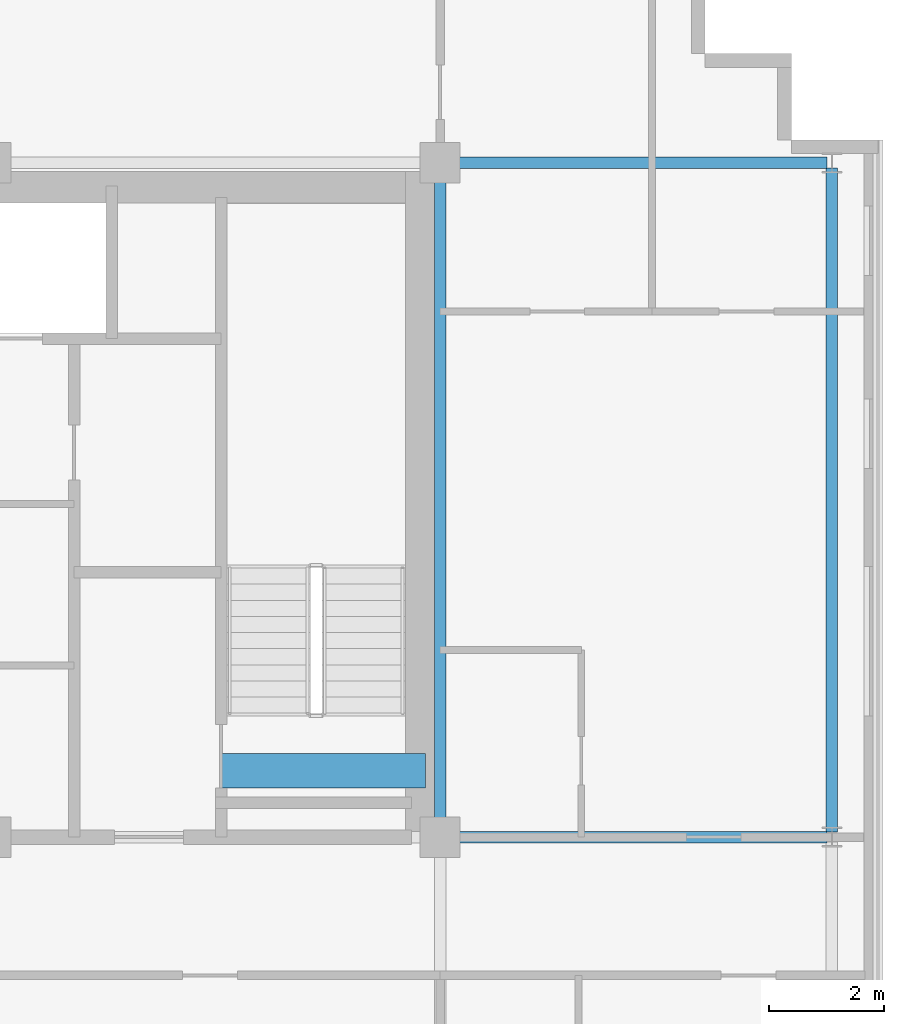
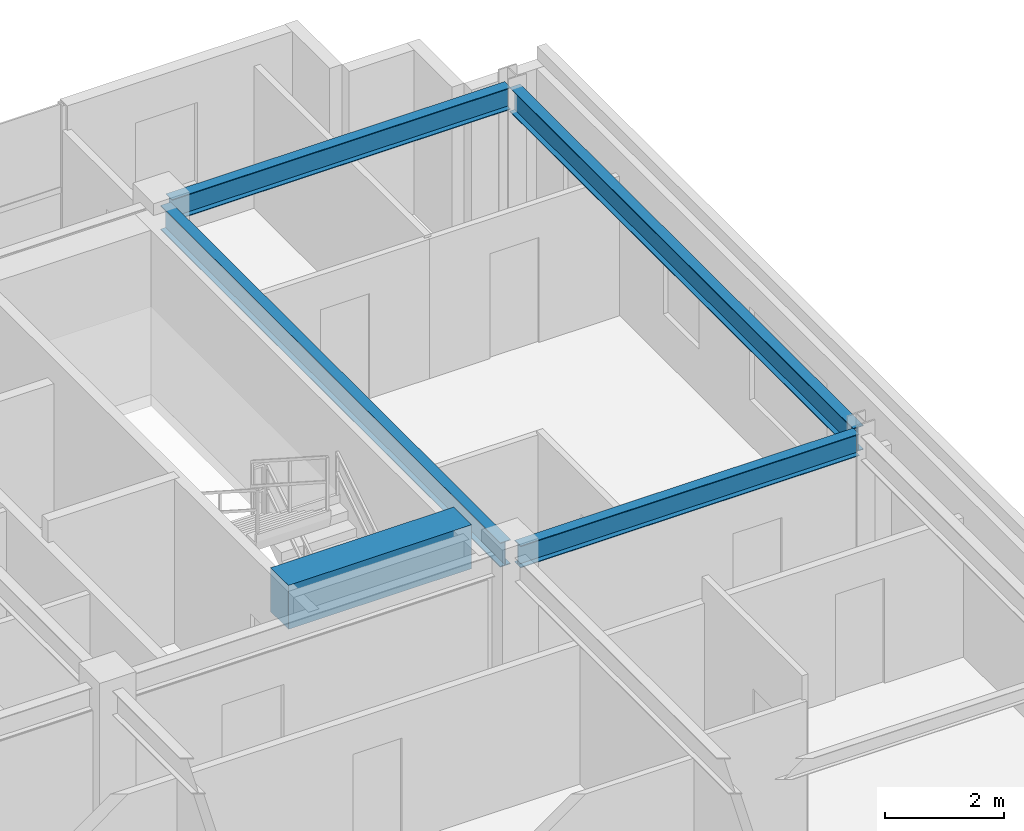
# One storey, part 13 of 23: 5 beams.
"""IFC4 building model written with IfcOpenShell, lengths in metres."""

from ifc_helpers import new_model, si_unit, direction, frame, origin, origin_2d, place, context, subcontext, project, spatial, rectangle, i_section, extrude, source, transform, mapped, material, material_profile, profile_set, type_object, element, save


model = new_model("IFC4")

# Units and contexts
model_context = context("Model", 3, precision=1e-05, world=origin(), true_north=direction((0.0, 1.0)))
body_context = subcontext(model_context, "Body", "Model", "MODEL_VIEW")
ifc_project = project(units=[si_unit("LENGTHUNIT", "METRE"), si_unit("AREAUNIT", "SQUARE_METRE"), si_unit("VOLUMEUNIT", "CUBIC_METRE"), si_unit("PLANEANGLEUNIT", "RADIAN"), si_unit("MASSUNIT", "GRAM", prefix="KILO")], contexts=[model_context])

# Site, building, storey
site_placement = place(None, origin())
site = spatial("IfcSite", under=ifc_project, at=site_placement, CompositionType="ELEMENT")
building_placement = place(site_placement, origin())
building = spatial("IfcBuilding", under=site, at=building_placement, Name="Trelvane Seafront Commons", CompositionType="ELEMENT")
storey_placement = place(building_placement, frame((0.0, 0.0, 222.89990234375)))
storey = spatial("IfcBuildingStorey", under=building, at=storey_placement, Name="L58", CompositionType="ELEMENT", Elevation=222.89990234375)

# Beams
ifc_material_1 = material(Name="Concrete C60/75", Category="concrete")
ifc_material_profile_1 = material_profile(ifc_material_1, rectangle(XDim=0.60009765625, YDim=0.89990234375, at=origin_2d()), Name="RC-600x900")
ifc_profile_set_1 = profile_set([ifc_material_profile_1], Name="Concrete C60/75")
beam_type_1 = type_object("IfcBeamType", Name="STR-LNT-RC600x900", PredefinedType="LINTEL", material=ifc_profile_set_1)
shared_shape_1 = source(origin(), body_context, "Body", "SweptSolid", [
    extrude(rectangle(XDim=0.60009765625, YDim=0.89990234375, at=origin_2d()), origin(), (0.0, 0.0, 1.0), 3.550048828125),
])
beam_1_placement = place(storey_placement, frame((55.0, 34.550048828125, 2.91015625), z_axis=(1.0, 0.0, 0.0), x_axis=(0.0, 1.0, 0.0)))
element("IfcBeam", 1, at=beam_1_placement, inside=storey, type_object=beam_type_1, Name="L58 Core Coupling Lintel Beam CB-68", PredefinedType="LINTEL", context=body_context, shape_type="MappedRepresentation", body=[
    mapped(shared_shape_1, transform((0.0, 0.0, 0.0), x_axis=(1.0, 0.0, 0.0), y_axis=(0.0, 1.0, 0.0), z_axis=(0.0, 0.0, 1.0), scale=1.0)),
])
ifc_material_2 = material(Name="Steel SM355 (S355)", Category="steel")
ifc_material_profile_2 = material_profile(ifc_material_2, i_section(OverallWidth=0.199951171875, OverallDepth=0.5, WebThickness=0.010009765625, FlangeThickness=0.01611328125, at=origin_2d()), Name="H-500x200x10x16")
ifc_profile_set_2 = profile_set([ifc_material_profile_2], Name="Steel SM355 (S355)")
beam_type_2 = type_object("IfcBeamType", Name="STR-BM-H500", PredefinedType="BEAM", material=ifc_profile_set_2)
shared_shape_2 = source(origin(), body_context, "Body", "SweptSolid", [
    extrude(i_section(OverallWidth=0.199951171875, OverallDepth=0.5, WebThickness=0.010009765625, FlangeThickness=0.01611328125, at=origin_2d()), origin(), (0.0, 0.0, 1.0), 11.39990234375),
])
beam_2_placement = place(storey_placement, frame((58.800048828125, 33.550048828125, 3.110107421875), z_axis=(0.0, 1.0, 0.0), x_axis=(-1.0, 0.0, 0.0)))
element("IfcBeam", 2, at=beam_2_placement, inside=storey, type_object=beam_type_2, Name="L58 Primary Girder G-49", PredefinedType="BEAM", context=body_context, shape_type="MappedRepresentation", body=[
    mapped(shared_shape_2, transform((0.0, 0.0, 0.0), x_axis=(1.0, 0.0, 0.0), y_axis=(0.0, 1.0, 0.0), z_axis=(0.0, 0.0, 1.0), scale=1.0)),
])
ifc_material_profile_3 = material_profile(ifc_material_2, i_section(OverallWidth=0.199951171875, OverallDepth=0.449951171875, WebThickness=0.009033203125, FlangeThickness=0.013916015625, at=origin_2d()), Name="H-450x200x9x14")
ifc_profile_set_3 = profile_set([ifc_material_profile_3], Name="Steel SM355 (S355)")
beam_type_3 = type_object("IfcBeamType", Name="STR-SPD-H450", PredefinedType="SPANDREL", material=ifc_profile_set_3)
shared_shape_3 = source(origin(), body_context, "Body", "SweptSolid", [
    extrude(i_section(OverallWidth=0.199951171875, OverallDepth=0.449951171875, WebThickness=0.009033203125, FlangeThickness=0.013916015625, at=origin_2d()), origin(), (0.0, 0.0, 1.0), 6.5625),
])
for number, where, z_axis, x_axis, name in (
    (3, (58.949951171875, 33.39990234375, 3.135009765625), (1.0, 0.0, 0.0), (0.0, 1.0, 0.0), "L58 Primary Girder G-21"),
    (4, (58.949951171875, 45.10009765625, 3.135009765625), (1.0, 0.0, 0.0), (0.0, 1.0, 0.0), "L58 Primary Girder G-28"),
):
    element("IfcBeam", number, at=place(storey_placement, frame(where, z_axis=z_axis, x_axis=x_axis)), inside=storey, type_object=beam_type_3, Name=name, PredefinedType="SPANDREL", context=body_context, shape_type="MappedRepresentation", body=[
        mapped(shared_shape_3, transform((0.0, 0.0, 0.0), x_axis=(1.0, 0.0, 0.0), y_axis=(0.0, 1.0, 0.0), z_axis=(0.0, 0.0, 1.0), scale=1.0)),
    ])
shared_shape_4 = source(origin(), body_context, "Body", "SweptSolid", [
    extrude(i_section(OverallWidth=0.199951171875, OverallDepth=0.5, WebThickness=0.010009765625, FlangeThickness=0.01611328125, at=origin_2d()), origin(), (0.0, 0.0, 1.0), 11.52490234375),
])
beam_3_placement = place(storey_placement, frame((65.60009765625, 33.487548828125, 3.110107421875), z_axis=(0.0, 1.0, 0.0), x_axis=(-1.0, 0.0, 0.0)))
element("IfcBeam", 5, at=beam_3_placement, inside=storey, type_object=beam_type_2, Name="L58 Primary Girder G-52", PredefinedType="BEAM", context=body_context, shape_type="MappedRepresentation", body=[
    mapped(shared_shape_4, transform((0.0, 0.0, 0.0), x_axis=(1.0, 0.0, 0.0), y_axis=(0.0, 1.0, 0.0), z_axis=(0.0, 0.0, 1.0), scale=1.0)),
])

save(model, "model.ifc")
